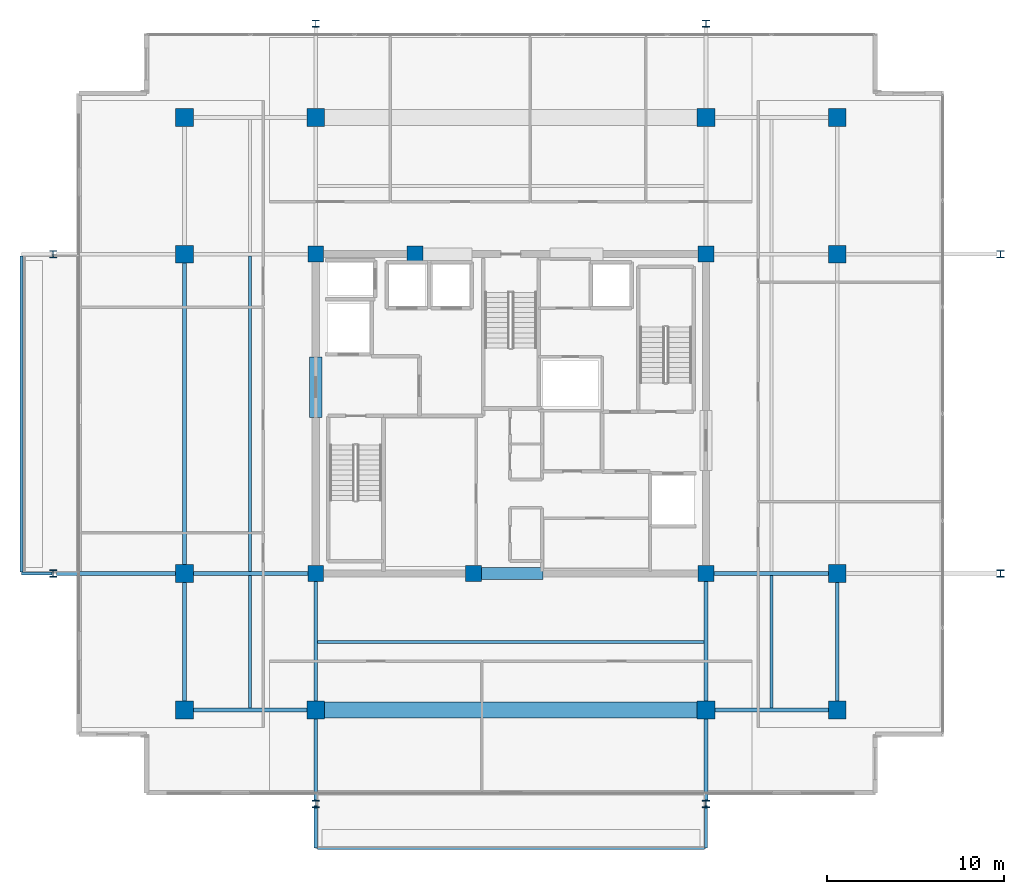
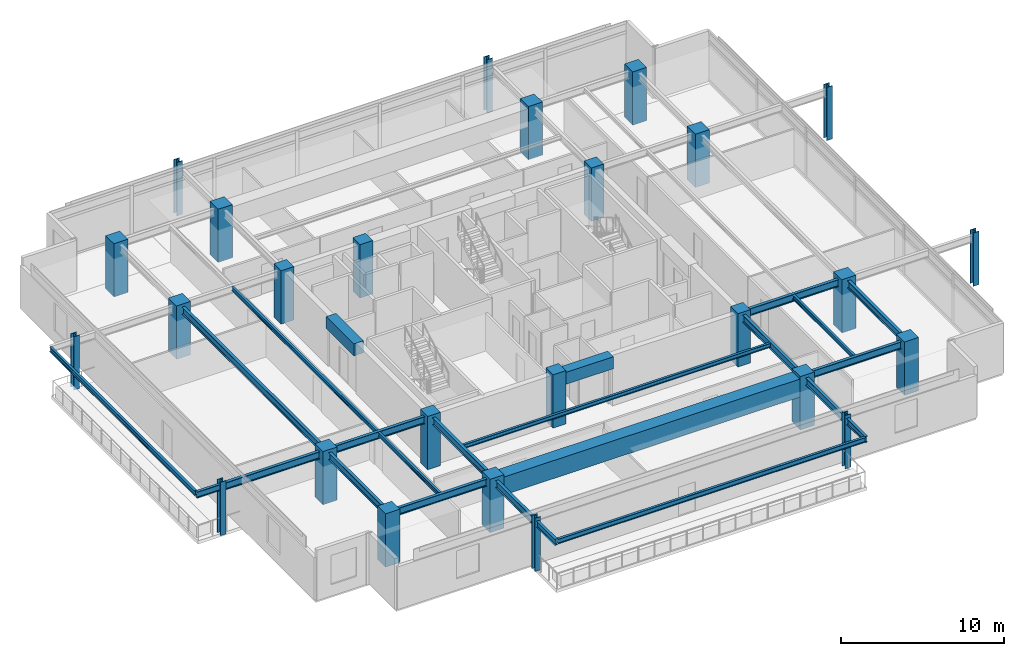
# One storey, part 1 of 21: 26 columns, 24 beams.
"""IFC4 building model written with IfcOpenShell, lengths in metres."""

from ifc_helpers import new_model, si_unit, direction, frame, origin, origin_2d, place, context, subcontext, project, spatial, rectangle, i_section, extrude, material, material_profile, profile_set, type_object, element, save


model = new_model("IFC4")

# Units and contexts
model_context = context("Model", 3, precision=1e-05, world=origin(), true_north=direction((0.0, 1.0)))
body_context = subcontext(model_context, "Body", "Model", "MODEL_VIEW")
ifc_project = project(units=[si_unit("LENGTHUNIT", "METRE"), si_unit("AREAUNIT", "SQUARE_METRE"), si_unit("VOLUMEUNIT", "CUBIC_METRE"), si_unit("PLANEANGLEUNIT", "RADIAN"), si_unit("MASSUNIT", "GRAM", prefix="KILO")], contexts=[model_context])

# Site, building, storey
site_placement = place(None, origin())
site = spatial("IfcSite", under=ifc_project, at=site_placement, CompositionType="ELEMENT")
building_placement = place(site_placement, origin())
building = spatial("IfcBuilding", under=site, at=building_placement, Name="Kovane Verandah Tower", CompositionType="ELEMENT")
storey_placement = place(building_placement, frame((0.0, 0.0, 310.800048828125)))
storey = spatial("IfcBuildingStorey", under=building, at=storey_placement, Name="L72", CompositionType="ELEMENT", Elevation=310.800048828125)

# Columns
ifc_material_1 = material(Name="Concrete C60/75", Category="concrete")
ifc_material_profile_1 = material_profile(ifc_material_1, rectangle(XDim=1.0, YDim=1.0, at=origin_2d()), Name="RC1000x1000")
ifc_profile_set_1 = profile_set([ifc_material_profile_1], Name="Concrete C60/75")
column_type_1 = type_object("IfcColumnType", Name="COL-RC1000", PredefinedType="COLUMN", material=ifc_profile_set_1)
for number, where, z_axis, x_axis, name in (
    (1, (29.0, 10.800048828125, 0.0), (0.0, 0.0, 1.0), (1.0, 0.0, 0.0), "L72 Tower Mega-Column MC-S1"),
    (2, (51.0, 10.800048828125, 0.0), (0.0, 0.0, 1.0), (1.0, 0.0, 0.0), "L72 Tower Mega-Column MC-S2"),
    (3, (29.0, 44.199951171875, 0.0), (0.0, 0.0, 1.0), (1.0, 0.0, 0.0), "L72 Tower Mega-Column MC-N1"),
    (4, (51.0, 44.199951171875, 0.0), (0.0, 0.0, 1.0), (1.0, 0.0, 0.0), "L72 Tower Mega-Column MC-N2"),
    (5, (21.60009765625, 18.5, 0.0), (0.0, 0.0, 1.0), (1.0, 0.0, 0.0), "L72 Tower Mega-Column MC-W1"),
    (6, (21.60009765625, 36.5, 0.0), (0.0, 0.0, 1.0), (1.0, 0.0, 0.0), "L72 Tower Mega-Column MC-W2"),
    (7, (58.39990234375, 18.5, 0.0), (0.0, 0.0, 1.0), (1.0, 0.0, 0.0), "L72 Tower Mega-Column MC-E1"),
    (8, (58.39990234375, 36.5, 0.0), (0.0, 0.0, 1.0), (1.0, 0.0, 0.0), "L72 Tower Mega-Column MC-E2"),
    (9, (21.60009765625, 10.800048828125, 0.0), (0.0, 0.0, 1.0), (1.0, 0.0, 0.0), "L72 Tower Mega-Column MC-SW"),
    (10, (58.39990234375, 10.800048828125, 0.0), (0.0, 0.0, 1.0), (1.0, 0.0, 0.0), "L72 Tower Mega-Column MC-SE"),
    (11, (21.60009765625, 44.199951171875, 0.0), (0.0, 0.0, 1.0), (1.0, 0.0, 0.0), "L72 Tower Mega-Column MC-NW"),
    (12, (58.39990234375, 44.199951171875, 0.0), (0.0, 0.0, 1.0), (1.0, 0.0, 0.0), "L72 Tower Mega-Column MC-NE"),
):
    element("IfcColumn", number, at=place(storey_placement, frame(where, z_axis=z_axis, x_axis=x_axis)), inside=storey, type_object=column_type_1, Name=name, PredefinedType="COLUMN", context=body_context, shape_type="SweptSolid", body=[
        extrude(rectangle(XDim=1.0, YDim=1.0, at=origin_2d()), origin(), (0.0, 0.0, 1.0), 4.0),
    ])
ifc_material_2 = material(Name="Steel S460", Category="steel")
ifc_material_profile_2 = material_profile(ifc_material_2, i_section(OverallWidth=0.403076171875, OverallDepth=0.406494140625, WebThickness=0.026611328125, FlangeThickness=0.04296875, FilletRadius=0.01513671875, at=origin_2d()), Name="UC356x406x340")
ifc_profile_set_2 = profile_set([ifc_material_profile_2], Name="Steel S460")
column_type_2 = type_object("IfcColumnType", Name="COL-UC340", PredefinedType="COLUMN", material=ifc_profile_set_2)
for number, where, z_axis, x_axis, name in (
    (13, (14.199951171875, 18.5, 0.0), (0.0, 0.0, 1.0), (1.0, 0.0, 0.0), "L72 Verandah Perimeter Column VC-W1"),
    (14, (14.199951171875, 36.5, 0.0), (0.0, 0.0, 1.0), (1.0, 0.0, 0.0), "L72 Verandah Perimeter Column VC-W2"),
    (15, (67.60009765625, 18.5, 0.0), (0.0, 0.0, 1.0), (1.0, 0.0, 0.0), "L72 Verandah Perimeter Column VC-E1"),
    (16, (67.60009765625, 36.5, 0.0), (0.0, 0.0, 1.0), (1.0, 0.0, 0.0), "L72 Verandah Perimeter Column VC-E2"),
    (17, (29.0, 5.5, 0.0), (0.0, 0.0, 1.0), (1.0, 0.0, 0.0), "L72 Verandah Perimeter Column VC-S1"),
    (18, (51.0, 5.5, 0.0), (0.0, 0.0, 1.0), (1.0, 0.0, 0.0), "L72 Verandah Perimeter Column VC-S2"),
    (19, (29.0, 49.5, 0.0), (0.0, 0.0, 1.0), (1.0, 0.0, 0.0), "L72 Verandah Perimeter Column VC-N1"),
    (20, (51.0, 49.5, 0.0), (0.0, 0.0, 1.0), (1.0, 0.0, 0.0), "L72 Verandah Perimeter Column VC-N2"),
):
    element("IfcColumn", number, at=place(storey_placement, frame(where, z_axis=z_axis, x_axis=x_axis)), inside=storey, type_object=column_type_2, Name=name, PredefinedType="COLUMN", context=body_context, shape_type="SweptSolid", body=[
        extrude(i_section(OverallWidth=0.403076171875, OverallDepth=0.406494140625, WebThickness=0.026611328125, FlangeThickness=0.04296875, FilletRadius=0.01513671875, at=origin_2d()), origin(), (0.0, 0.0, 1.0), 4.0),
    ])
ifc_material_profile_3 = material_profile(ifc_material_1, rectangle(XDim=0.89990234375, YDim=0.89990234375, at=origin_2d()), Name="RC900x900")
ifc_profile_set_3 = profile_set([ifc_material_profile_3], Name="Concrete C60/75")
column_type_3 = type_object("IfcColumnType", Name="PIL-RC900", PredefinedType="PILASTER", material=ifc_profile_set_3)
for number, where, z_axis, x_axis, name in (
    (21, (29.0, 18.5, 0.0), (0.0, 0.0, 1.0), (1.0, 0.0, 0.0), "L72 Core Pilaster CP-SW"),
    (22, (51.0, 18.5, 0.0), (0.0, 0.0, 1.0), (1.0, 0.0, 0.0), "L72 Core Pilaster CP-SE"),
    (23, (29.0, 36.5, 0.0), (0.0, 0.0, 1.0), (1.0, 0.0, 0.0), "L72 Core Pilaster CP-NW"),
    (24, (51.0, 36.5, 0.0), (0.0, 0.0, 1.0), (1.0, 0.0, 0.0), "L72 Core Pilaster CP-NE"),
    (25, (37.89990234375, 18.5, 0.0), (0.0, 0.0, 1.0), (1.0, 0.0, 0.0), "L72 Core Pilaster CP-S"),
    (26, (34.60009765625, 36.5, 0.0), (0.0, 0.0, 1.0), (1.0, 0.0, 0.0), "L72 Core Pilaster CP-N"),
):
    element("IfcColumn", number, at=place(storey_placement, frame(where, z_axis=z_axis, x_axis=x_axis)), inside=storey, type_object=column_type_3, Name=name, PredefinedType="PILASTER", context=body_context, shape_type="SweptSolid", body=[
        extrude(rectangle(XDim=0.89990234375, YDim=0.89990234375, at=origin_2d()), origin(), (0.0, 0.0, 1.0), 4.0),
    ])

# Beams
ifc_material_profile_4 = material_profile(ifc_material_1, rectangle(XDim=0.699951171875, YDim=0.89990234375, at=origin_2d()), Name="RCB700x900")
ifc_profile_set_4 = profile_set([ifc_material_profile_4], Name="Concrete C60/75")
beam_type_1 = type_object("IfcBeamType", Name="BM-LINTEL-700x900", PredefinedType="LINTEL", material=ifc_profile_set_4)
beam_1_placement = place(storey_placement, frame((38.199951171875, 18.5, 3.3349609375), z_axis=(1.0, 0.0, 0.0), x_axis=(0.0, 1.0, 0.0)))
element("IfcBeam", 27, at=beam_1_placement, inside=storey, type_object=beam_type_1, Name="L72 Core Coupling Lintel CL-S", PredefinedType="LINTEL", context=body_context, shape_type="SweptSolid", body=[
    extrude(rectangle(XDim=0.699951171875, YDim=0.89990234375, at=origin_2d()), origin(), (0.0, 0.0, 1.0), 3.60009765625),
])
beam_2_placement = place(storey_placement, frame((29.0, 27.300048828125, 3.3349609375), z_axis=(0.0, 1.0, 0.0), x_axis=(-1.0, 0.0, 0.0)))
element("IfcBeam", 28, at=beam_2_placement, inside=storey, type_object=beam_type_1, Name="L72 Core Coupling Lintel CL-W", PredefinedType="LINTEL", context=body_context, shape_type="SweptSolid", body=[
    extrude(rectangle(XDim=0.699951171875, YDim=0.89990234375, at=origin_2d()), origin(), (0.0, 0.0, 1.0), 3.39990234375),
])
ifc_material_3 = material(Name="Concrete C80/95", Category="concrete")
ifc_material_profile_5 = material_profile(ifc_material_3, rectangle(XDim=0.89990234375, YDim=1.35009765625, at=origin_2d()), Name="RCB900x1350")
ifc_profile_set_5 = profile_set([ifc_material_profile_5], Name="Concrete C80/95")
beam_type_2 = type_object("IfcBeamType", Name="BM-TR-900x1350", PredefinedType="BEAM", material=ifc_profile_set_5)
beam_3_placement = place(storey_placement, frame((29.179931640625, 10.800048828125, 3.10986328125), z_axis=(1.0, 0.0, 0.0), x_axis=(0.0, 1.0, 0.0)))
element("IfcBeam", 29, at=beam_3_placement, inside=storey, type_object=beam_type_2, Name="L72 Primary Tower Girder G-RS2", PredefinedType="BEAM", context=body_context, shape_type="SweptSolid", body=[
    extrude(rectangle(XDim=0.89990234375, YDim=1.35009765625, at=origin_2d()), origin(), (0.0, 0.0, 1.0), 21.64013671875),
])
ifc_material_4 = material(Name="Steel S355", Category="steel")
ifc_material_profile_6 = material_profile(ifc_material_4, i_section(OverallWidth=0.2119140625, OverallDepth=0.54443359375, WebThickness=0.0126953125, FlangeThickness=0.021240234375, FilletRadius=0.0126953125, at=origin_2d()), Name="UB533x210x122")
ifc_profile_set_6 = profile_set([ifc_material_profile_6], Name="Steel S355")
beam_type_3 = type_object("IfcBeamType", Name="BM-UB533x122", PredefinedType="BEAM", material=ifc_profile_set_6)
for number, where, z_axis, x_axis, name in (
    (30, (21.780029296875, 10.800048828125, 3.5126953125), (1.0, 0.0, 0.0), (0.0, 1.0, 0.0), "L72 Primary Tower Girder G-RS1"),
    (31, (51.179931640625, 10.800048828125, 3.5126953125), (1.0, 0.0, 0.0), (0.0, 1.0, 0.0), "L72 Primary Tower Girder G-RS3"),
):
    element("IfcBeam", number, at=place(storey_placement, frame(where, z_axis=z_axis, x_axis=x_axis)), inside=storey, type_object=beam_type_3, Name=name, PredefinedType="BEAM", context=body_context, shape_type="SweptSolid", body=[
        extrude(i_section(OverallWidth=0.2119140625, OverallDepth=0.54443359375, WebThickness=0.0126953125, FlangeThickness=0.021240234375, FilletRadius=0.0126953125, at=origin_2d()), origin(), (0.0, 0.0, 1.0), 7.0400390625),
    ])
beam_4_placement = place(storey_placement, frame((21.60009765625, 10.97998046875, 3.5126953125), z_axis=(0.0, 1.0, 0.0), x_axis=(-1.0, 0.0, 0.0)))
element("IfcBeam", 32, at=beam_4_placement, inside=storey, type_object=beam_type_3, Name="L72 Primary Tower Girder G-RW1", PredefinedType="BEAM", context=body_context, shape_type="SweptSolid", body=[
    extrude(i_section(OverallWidth=0.2119140625, OverallDepth=0.54443359375, WebThickness=0.0126953125, FlangeThickness=0.021240234375, FilletRadius=0.0126953125, at=origin_2d()), origin(), (0.0, 0.0, 1.0), 7.340087890625),
])
beam_5_placement = place(storey_placement, frame((21.60009765625, 18.679931640625, 3.5126953125), z_axis=(0.0, 1.0, 0.0), x_axis=(-1.0, 0.0, 0.0)))
element("IfcBeam", 33, at=beam_5_placement, inside=storey, type_object=beam_type_3, Name="L72 Primary Tower Girder G-RW2", PredefinedType="BEAM", context=body_context, shape_type="SweptSolid", body=[
    extrude(i_section(OverallWidth=0.2119140625, OverallDepth=0.54443359375, WebThickness=0.0126953125, FlangeThickness=0.021240234375, FilletRadius=0.0126953125, at=origin_2d()), origin(), (0.0, 0.0, 1.0), 17.64013671875),
])
beam_6_placement = place(storey_placement, frame((58.39990234375, 10.97998046875, 3.5126953125), z_axis=(0.0, 1.0, 0.0), x_axis=(-1.0, 0.0, 0.0)))
element("IfcBeam", 34, at=beam_6_placement, inside=storey, type_object=beam_type_3, Name="L72 Primary Tower Girder G-RE1", PredefinedType="BEAM", context=body_context, shape_type="SweptSolid", body=[
    extrude(i_section(OverallWidth=0.2119140625, OverallDepth=0.54443359375, WebThickness=0.0126953125, FlangeThickness=0.021240234375, FilletRadius=0.0126953125, at=origin_2d()), origin(), (0.0, 0.0, 1.0), 7.340087890625),
])
for number, where, z_axis, x_axis, name in (
    (35, (28.820068359375, 18.5, 3.5126953125), (-1.0, 0.0, 0.0), (0.0, -1.0, 0.0), "L72 Primary Tower Girder G-W1"),
    (36, (51.179931640625, 18.5, 3.5126953125), (1.0, 0.0, 0.0), (0.0, 1.0, 0.0), "L72 Primary Tower Girder G-E1"),
):
    element("IfcBeam", number, at=place(storey_placement, frame(where, z_axis=z_axis, x_axis=x_axis)), inside=storey, type_object=beam_type_3, Name=name, PredefinedType="BEAM", context=body_context, shape_type="SweptSolid", body=[
        extrude(i_section(OverallWidth=0.2119140625, OverallDepth=0.54443359375, WebThickness=0.0126953125, FlangeThickness=0.021240234375, FilletRadius=0.0126953125, at=origin_2d()), origin(), (0.0, 0.0, 1.0), 7.0400390625),
    ])
for number, where, z_axis, x_axis, name in (
    (37, (29.0, 18.320068359375, 3.5126953125), (0.0, -1.0, 0.0), (1.0, 0.0, 0.0), "L72 Primary Tower Girder G-S1"),
    (38, (51.0, 18.320068359375, 3.5126953125), (0.0, -1.0, 0.0), (1.0, 0.0, 0.0), "L72 Primary Tower Girder G-S2"),
):
    element("IfcBeam", number, at=place(storey_placement, frame(where, z_axis=z_axis, x_axis=x_axis)), inside=storey, type_object=beam_type_3, Name=name, PredefinedType="BEAM", context=body_context, shape_type="SweptSolid", body=[
        extrude(i_section(OverallWidth=0.2119140625, OverallDepth=0.54443359375, WebThickness=0.0126953125, FlangeThickness=0.021240234375, FilletRadius=0.0126953125, at=origin_2d()), origin(), (0.0, 0.0, 1.0), 7.340087890625),
    ])
beam_7_placement = place(storey_placement, frame((21.419921875, 18.5, 3.48779296875), z_axis=(-1.0, 0.0, 0.0), x_axis=(0.0, -1.0, 0.0)))
element("IfcBeam", 39, at=beam_7_placement, inside=storey, type_object=beam_type_3, Name="L72 Primary Tower Girder G-VW1", PredefinedType="BEAM", context=body_context, shape_type="SweptSolid", body=[
    extrude(i_section(OverallWidth=0.2119140625, OverallDepth=0.54443359375, WebThickness=0.0126953125, FlangeThickness=0.021240234375, FilletRadius=0.0126953125, at=origin_2d()), origin(), (0.0, 0.0, 1.0), 7.0400390625),
])
for number, where, z_axis, x_axis, name in (
    (40, (29.0, 10.6201171875, 3.48779296875), (0.0, -1.0, 0.0), (1.0, 0.0, 0.0), "L72 Primary Tower Girder G-VS1"),
    (41, (51.0, 10.6201171875, 3.48779296875), (0.0, -1.0, 0.0), (1.0, 0.0, 0.0), "L72 Primary Tower Girder G-VS2"),
):
    element("IfcBeam", number, at=place(storey_placement, frame(where, z_axis=z_axis, x_axis=x_axis)), inside=storey, type_object=beam_type_3, Name=name, PredefinedType="BEAM", context=body_context, shape_type="SweptSolid", body=[
        extrude(i_section(OverallWidth=0.2119140625, OverallDepth=0.54443359375, WebThickness=0.0126953125, FlangeThickness=0.021240234375, FilletRadius=0.0126953125, at=origin_2d()), origin(), (0.0, 0.0, 1.0), 4.940185546875),
    ])
ifc_material_profile_7 = material_profile(ifc_material_4, i_section(OverallWidth=0.1669921875, OverallDepth=0.310302734375, WebThickness=0.0078125, FlangeThickness=0.013671875, FilletRadius=0.0087890625, at=origin_2d()), Name="UB305x165x54")
ifc_profile_set_7 = profile_set([ifc_material_profile_7], Name="Steel S355")
beam_type_4 = type_object("IfcBeamType", Name="JST-UB305x54", PredefinedType="JOIST", material=ifc_profile_set_7)
beam_8_placement = place(storey_placement, frame((29.10400390625, 14.64990234375, 3.629638671875), z_axis=(1.0, 0.0, 0.0), x_axis=(0.0, 1.0, 0.0)))
element("IfcBeam", 42, at=beam_8_placement, inside=storey, type_object=beam_type_4, Name="L72 Secondary Composite Joist J-S1", PredefinedType="JOIST", context=body_context, shape_type="SweptSolid", body=[
    extrude(i_section(OverallWidth=0.1669921875, OverallDepth=0.310302734375, WebThickness=0.0078125, FlangeThickness=0.013671875, FilletRadius=0.0087890625, at=origin_2d()), origin(), (0.0, 0.0, 1.0), 21.7919921875),
])
beam_9_placement = place(storey_placement, frame((25.300048828125, 18.60400390625, 3.629638671875), z_axis=(0.0, 1.0, 0.0), x_axis=(-1.0, 0.0, 0.0)))
element("IfcBeam", 43, at=beam_9_placement, inside=storey, type_object=beam_type_4, Name="L72 Secondary Composite Joist J-W1", PredefinedType="JOIST", context=body_context, shape_type="SweptSolid", body=[
    extrude(i_section(OverallWidth=0.1669921875, OverallDepth=0.310302734375, WebThickness=0.0078125, FlangeThickness=0.013671875, FilletRadius=0.0087890625, at=origin_2d()), origin(), (0.0, 0.0, 1.0), 17.7919921875),
])
for number, where, z_axis, x_axis, name in (
    (44, (25.300048828125, 10.904052734375, 3.629638671875), (0.0, 1.0, 0.0), (-1.0, 0.0, 0.0), "L72 Secondary Composite Joist J-SW1"),
    (45, (54.699951171875, 10.904052734375, 3.629638671875), (0.0, 1.0, 0.0), (-1.0, 0.0, 0.0), "L72 Secondary Composite Joist J-SE1"),
):
    element("IfcBeam", number, at=place(storey_placement, frame(where, z_axis=z_axis, x_axis=x_axis)), inside=storey, type_object=beam_type_4, Name=name, PredefinedType="JOIST", context=body_context, shape_type="SweptSolid", body=[
        extrude(i_section(OverallWidth=0.1669921875, OverallDepth=0.310302734375, WebThickness=0.0078125, FlangeThickness=0.013671875, FilletRadius=0.0087890625, at=origin_2d()), origin(), (0.0, 0.0, 1.0), 7.491943359375),
    ])
ifc_material_profile_8 = material_profile(ifc_material_4, i_section(OverallWidth=0.19287109375, OverallDepth=0.46728515625, WebThickness=0.011474609375, FlangeThickness=0.01953125, FilletRadius=0.01025390625, at=origin_2d()), Name="UB457x191x98")
ifc_profile_set_8 = profile_set([ifc_material_profile_8], Name="Steel S355")
beam_type_5 = type_object("IfcBeamType", Name="JST-UB457x98", PredefinedType="JOIST", material=ifc_profile_set_8)
for number, where, z_axis, x_axis, name in (
    (46, (29.0, 5.419921875, 3.5263671875), (0.0, -1.0, 0.0), (1.0, 0.0, 0.0), "L72 South Planter Girder 1"),
    (47, (51.0, 5.419921875, 3.5263671875), (0.0, -1.0, 0.0), (1.0, 0.0, 0.0), "L72 South Planter Girder 2"),
):
    element("IfcBeam", number, at=place(storey_placement, frame(where, z_axis=z_axis, x_axis=x_axis)), inside=storey, type_object=beam_type_5, Name=name, PredefinedType="JOIST", context=body_context, shape_type="SweptSolid", body=[
        extrude(i_section(OverallWidth=0.19287109375, OverallDepth=0.46728515625, WebThickness=0.011474609375, FlangeThickness=0.01953125, FilletRadius=0.01025390625, at=origin_2d()), origin(), (0.0, 0.0, 1.0), 2.38818359375),
    ])
beam_10_placement = place(storey_placement, frame((14.1201171875, 18.5, 3.5263671875), z_axis=(-1.0, 0.0, 0.0), x_axis=(0.0, -1.0, 0.0)))
element("IfcBeam", 48, at=beam_10_placement, inside=storey, type_object=beam_type_5, Name="L72 West Planter Girder 1", PredefinedType="JOIST", context=body_context, shape_type="SweptSolid", body=[
    extrude(i_section(OverallWidth=0.19287109375, OverallDepth=0.46728515625, WebThickness=0.011474609375, FlangeThickness=0.01953125, FilletRadius=0.01025390625, at=origin_2d()), origin(), (0.0, 0.0, 1.0), 1.70654296875),
])
ifc_material_profile_9 = material_profile(ifc_material_4, i_section(OverallWidth=0.173095703125, OverallDepth=0.36328125, WebThickness=0.009033203125, FlangeThickness=0.015625, FilletRadius=0.01025390625, at=origin_2d()), Name="UB356x171x67")
ifc_profile_set_9 = profile_set([ifc_material_profile_9], Name="Steel S355")
beam_type_6 = type_object("IfcBeamType", Name="SPD-UB356x67", PredefinedType="USERDEFINED", material=ifc_profile_set_9)
beam_11_placement = place(storey_placement, frame((29.094482421875, 3.03173828125, 3.578369140625), z_axis=(1.0, 0.0, 0.0), x_axis=(0.0, 1.0, 0.0)))
element("IfcBeam", 49, at=beam_11_placement, inside=storey, type_object=beam_type_6, Name="L72 South Planter Edge Spandrel", ObjectType="SPANDREL", PredefinedType="USERDEFINED", context=body_context, shape_type="SweptSolid", body=[
    extrude(i_section(OverallWidth=0.173095703125, OverallDepth=0.36328125, WebThickness=0.009033203125, FlangeThickness=0.015625, FilletRadius=0.01025390625, at=origin_2d()), origin(), (0.0, 0.0, 1.0), 21.81103515625),
])
beam_12_placement = place(storey_placement, frame((12.41357421875, 18.594482421875, 3.578369140625), z_axis=(0.0, 1.0, 0.0), x_axis=(-1.0, 0.0, 0.0)))
element("IfcBeam", 50, at=beam_12_placement, inside=storey, type_object=beam_type_6, Name="L72 West Planter Edge Spandrel", ObjectType="SPANDREL", PredefinedType="USERDEFINED", context=body_context, shape_type="SweptSolid", body=[
    extrude(i_section(OverallWidth=0.173095703125, OverallDepth=0.36328125, WebThickness=0.009033203125, FlangeThickness=0.015625, FilletRadius=0.01025390625, at=origin_2d()), origin(), (0.0, 0.0, 1.0), 17.81103515625),
])

save(model, "model.ifc")
